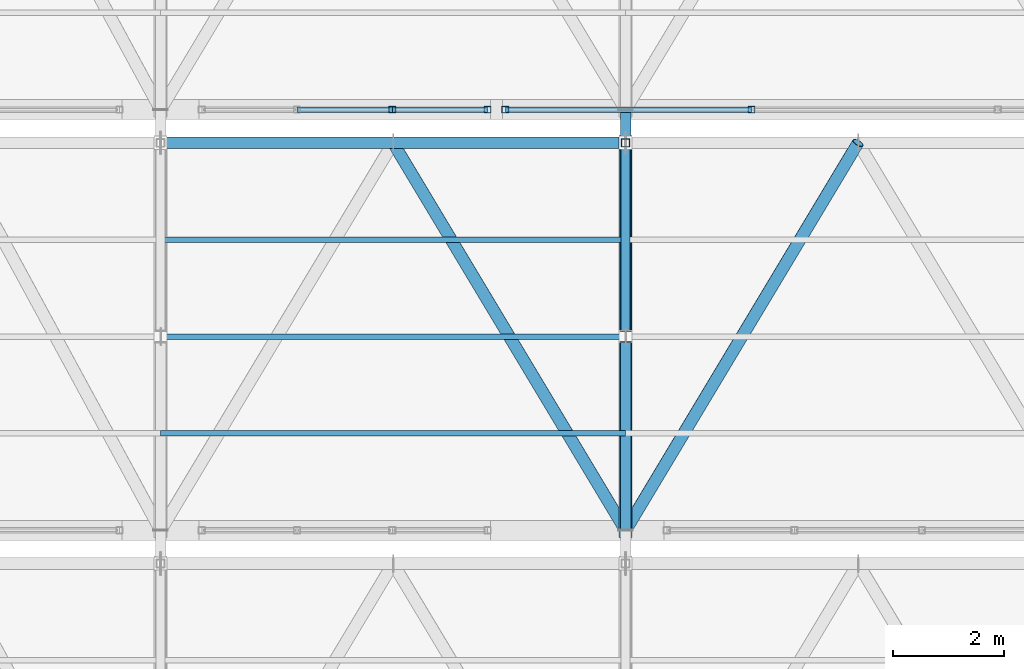
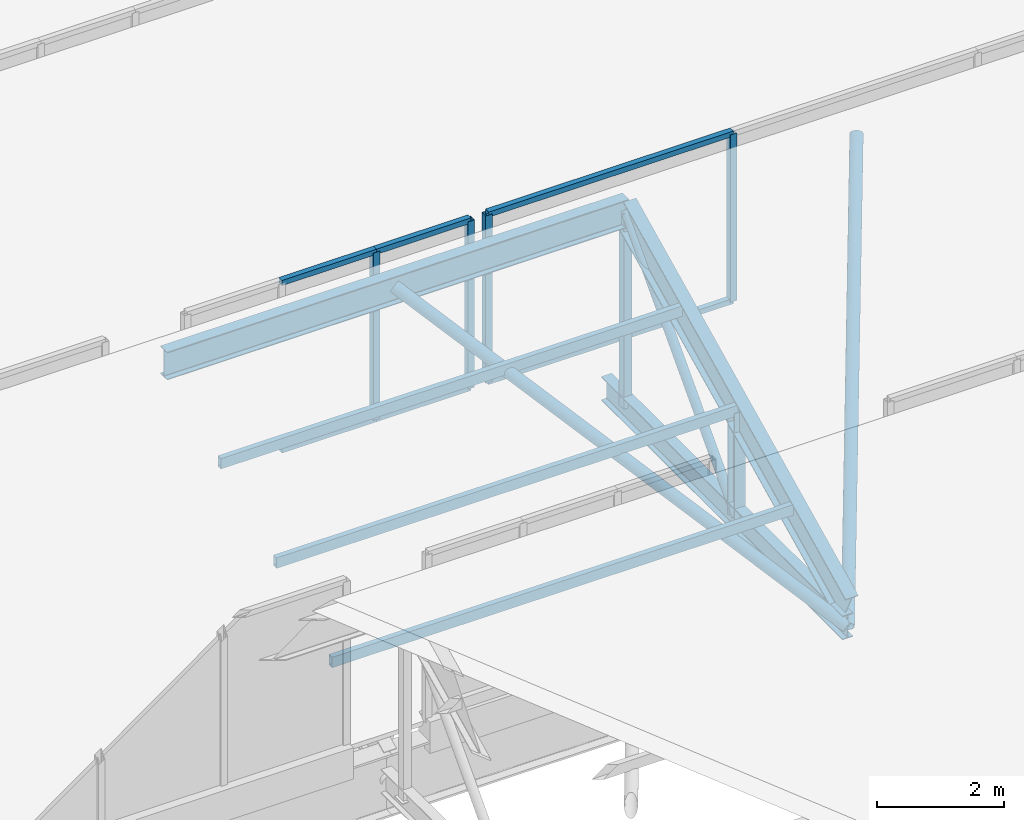
# One storey, part 9 of 57: 21 members, 2 elements without a shape of their own.
"""IFC4 building model written with IfcOpenShell, lengths in metres."""

import ifcopenshell
import ifcopenshell.guid

model = None  # the IFC model being written
_history = None  # IfcOwnerHistory: only IFC2X3 demands one
_inside = {}  # id of a spatial element -> (the spatial element, [elements in it])
_under = {}  # id of a project, library or spatial element -> (it, [spatial elements below it])
_declared = {}  # id of a project -> (the project, [libraries it declares])
_typed = {}  # id of a type object -> (the type object, [elements of that type])
_made_of = {}  # id of a material, layer set ... -> (it, [elements and type objects made of it])


def new_model(schema):
    """Start an empty IFC model of exactly this schema.

    Asked for "IFC4X3", IfcOpenShell would pick the latest addendum, in which some entities
    have other attributes; the version numbers below select the first issue.
    IFC2X3 requires an IfcOwnerHistory on every rooted entity: one is made here for all.
    """
    global model, _history
    if schema == "IFC4X3":
        model = ifcopenshell.file(schema_version=(4, 3, 0, 0))
    else:
        model = ifcopenshell.file(schema=schema)
    _inside.clear()
    _under.clear()
    _declared.clear()
    _typed.clear()
    _made_of.clear()
    _history = None
    if model.schema == "IFC2X3":
        org = make("IfcOrganization", Name="unknown")
        user = make(
            "IfcPersonAndOrganization",
            ThePerson=make("IfcPerson", FamilyName="unknown"),
            TheOrganization=org,
        )
        app = make(
            "IfcApplication",
            ApplicationDeveloper=org,
            Version="unknown",
            ApplicationFullName="unknown",
            ApplicationIdentifier="unknown",
        )
        _history = make(
            "IfcOwnerHistory",
            OwningUser=user,
            OwningApplication=app,
            ChangeAction="ADDED",
            CreationDate=0,
        )
    return model


def make(cls, **values):
    """One entity of the class cls with the attributes given. An attribute that is None is left unset."""
    return model.create_entity(
        cls, **{name: value for name, value in values.items() if value is not None}
    )


def rooted(cls, **values):
    """An entity with a GlobalId (a new one), such as an element, a storey or a relation."""
    return make(cls, GlobalId=ifcopenshell.guid.new(), OwnerHistory=_history, **values)


def si_unit(unit_type, name, prefix=None):
    """IfcSIUnit, for example si_unit("LENGTHUNIT", "METRE", prefix="MILLI")."""
    return make("IfcSIUnit", UnitType=unit_type, Prefix=prefix, Name=name)


def assignment(units):
    """IfcUnitAssignment: the units of a project."""
    return None if units is None else make("IfcUnitAssignment", Units=units)


def point(xyz):
    """IfcCartesianPoint."""
    return None if xyz is None else make("IfcCartesianPoint", Coordinates=xyz)


def direction(xyz):
    """IfcDirection."""
    return None if xyz is None else make("IfcDirection", DirectionRatios=xyz)


def frame(location, z_axis=None, x_axis=None):
    """IfcAxis2Placement3D, a coordinate frame: its origin and axes. An axis left out is left unset."""
    return make(
        "IfcAxis2Placement3D",
        Location=point(location),
        Axis=direction(z_axis),
        RefDirection=direction(x_axis),
    )


def frame_2d(location, x_axis=None):
    """IfcAxis2Placement2D, a coordinate frame in the plane: its origin and x axis."""
    return make(
        "IfcAxis2Placement2D", Location=point(location), RefDirection=direction(x_axis)
    )


def origin():
    """The frame at (0, 0, 0) with its axes left unset."""
    return frame((0.0, 0.0, 0.0))


def origin_2d():
    """The frame at (0, 0) in the plane with its x axis left unset."""
    return frame_2d((0.0, 0.0))


def place(relative_to, where):
    """IfcLocalPlacement: puts the frame where relative to a parent placement (None: the world)."""
    return make(
        "IfcLocalPlacement", PlacementRelTo=relative_to, RelativePlacement=where
    )


def context(
    kind, dimensions, precision=None, world=None, true_north=None, identifier=None
):
    """IfcGeometricRepresentationContext, for example the 3D "Model" context."""
    return make(
        "IfcGeometricRepresentationContext",
        ContextIdentifier=identifier,
        ContextType=kind,
        CoordinateSpaceDimension=dimensions,
        Precision=precision,
        WorldCoordinateSystem=world,
        TrueNorth=true_north,
    )


def subcontext(parent, identifier, kind, view, scale=None):
    """IfcGeometricRepresentationSubContext, for example "Body" below "Model"."""
    return make(
        "IfcGeometricRepresentationSubContext",
        ContextIdentifier=identifier,
        ContextType=kind,
        ParentContext=parent,
        TargetScale=scale,
        TargetView=view,
    )


def project(units=None, contexts=None):
    """IfcProject with its units and contexts."""
    return rooted(
        "IfcProject",
        Name="project",
        RepresentationContexts=contexts,
        UnitsInContext=assignment(units),
    )


def spatial(cls, under=None, at=None, **own):
    """A site, building, storey or space (cls), placed at a placement, below another one or the project."""
    s = rooted(cls, ObjectPlacement=at, **own)
    if under is not None:
        _under.setdefault(under.id(), (under, []))[1].append(s)
    return s


def profile(cls, at=None, kind="AREA", **sizes):
    """A parametric profile (cls). Its sizes go by their IFC names, for example OverallWidth=200.0."""
    return make(cls, ProfileType=kind, Position=at, **sizes)


def hollow_rectangle(**sizes):
    """IfcRectangleHollowProfileDef."""
    return profile("IfcRectangleHollowProfileDef", **sizes)


def hollow_circle(**sizes):
    """IfcCircleHollowProfileDef."""
    return profile("IfcCircleHollowProfileDef", **sizes)


def i_section(**sizes):
    """IfcIShapeProfileDef."""
    return profile("IfcIShapeProfileDef", **sizes)


def extrude(swept, where, along, depth):
    """IfcExtrudedAreaSolid: the profile swept, set in the frame where, extruded along a direction by depth."""
    return make(
        "IfcExtrudedAreaSolid",
        SweptArea=swept,
        Position=where,
        ExtrudedDirection=direction(along),
        Depth=depth,
    )


def shape(context_of_items, identifier, shape_type, items):
    """IfcShapeRepresentation: the items that make up one representation, for example the "Body"."""
    return make(
        "IfcShapeRepresentation",
        ContextOfItems=context_of_items,
        RepresentationIdentifier=identifier,
        RepresentationType=shape_type,
        Items=items,
    )


def material(Name=None, Category=None):
    """IfcMaterial."""
    return make("IfcMaterial", Name=Name, Category=Category)


def material_profile(
    of_material, cross_section, Name=None, Category=None, Priority=None
):
    """IfcMaterialProfile: a cross section and its material."""
    return make(
        "IfcMaterialProfile",
        Name=Name,
        Material=of_material,
        Profile=cross_section,
        Priority=Priority,
        Category=Category,
    )


def profile_set(profiles, Name=None, composite=None):
    """IfcMaterialProfileSet."""
    return make(
        "IfcMaterialProfileSet",
        Name=Name,
        MaterialProfiles=profiles,
        CompositeProfile=composite,
    )


def made_of(thing, what):
    """Note that an element or type object is made of a material, layer set ...; save() writes the relation."""
    if what is not None:
        _made_of.setdefault(what.id(), (what, []))[1].append(thing)
    return thing


def type_object(cls, material=None, **own):
    """A type object (cls), such as IfcWallType, which elements share."""
    return made_of(rooted(cls, **own), material)


def element(
    cls,
    number,
    at=None,
    inside=None,
    cuts=None,
    type_object=None,
    material=None,
    context=None,
    identifier="Body",
    shape_type=None,
    held_by="IfcProductDefinitionShape",
    body=None,
    shapes=None,
    **own,
):
    """One element of the class cls, such as IfcWall. Its Tag is "e" and its number.

    at: its placement. inside: the storey or other place that contains it. cuts: it is an
    opening in that element (IfcRelVoidsElement). A single representation is given by context,
    identifier, shape_type and body (its items); several are given by shapes. held_by: the class
    of the entity that holds the representations. save() writes the other relations.
    """
    e = rooted(cls, Tag="e%d" % number, ObjectPlacement=at, **own)
    if body is not None:
        shapes = [shape(context, identifier, shape_type, body)]
    if shapes is not None:
        e.Representation = make(held_by, Representations=shapes)
    if inside is not None:
        _inside.setdefault(inside.id(), (inside, []))[1].append(e)
    if cuts is not None:
        rooted(
            "IfcRelVoidsElement", RelatingBuildingElement=cuts, RelatedOpeningElement=e
        )
    if type_object is not None:
        _typed.setdefault(type_object.id(), (type_object, []))[1].append(e)
    return made_of(e, material)


def aggregate(whole, parts):
    """IfcRelAggregates: a whole, such as a stair, and the parts it consists of."""
    return rooted("IfcRelAggregates", RelatingObject=whole, RelatedObjects=parts)


def save(model, path):
    """Write the relations noted so far, then the file.

    IfcRelAggregates (storeys below a building ...), IfcRelContainedInSpatialStructure (elements
    in a storey), IfcRelDefinesByType, IfcRelAssociatesMaterial and IfcRelDeclares: one each for
    every whole, place, type object, material and project.
    """
    for whole, parts in _under.values():
        aggregate(whole, parts)
    for where, things in _inside.values():
        rooted(
            "IfcRelContainedInSpatialStructure",
            RelatedElements=things,
            RelatingStructure=where,
        )
    for kind, things in _typed.values():
        rooted("IfcRelDefinesByType", RelatedObjects=things, RelatingType=kind)
    for what, things in _made_of.values():
        rooted("IfcRelAssociatesMaterial", RelatedObjects=things, RelatingMaterial=what)
    for by, libraries in _declared.values():
        rooted("IfcRelDeclares", RelatingContext=by, RelatedDefinitions=libraries)
    model.write(path)


model = new_model("IFC4")

# Units and contexts
model_context = context("Model", 3, precision=1e-05, world=origin(), true_north=direction((0.0, 1.0)))
body_context = subcontext(model_context, "Body", "Model", "MODEL_VIEW")
ifc_project = project(units=[si_unit("LENGTHUNIT", "METRE"), si_unit("AREAUNIT", "SQUARE_METRE"), si_unit("VOLUMEUNIT", "CUBIC_METRE"), si_unit("PLANEANGLEUNIT", "RADIAN"), si_unit("MASSUNIT", "GRAM", prefix="KILO")], contexts=[model_context])

# Site, building, storey
site_placement = place(None, origin())
site = spatial("IfcSite", under=ifc_project, at=site_placement, CompositionType="ELEMENT")
building_placement = place(site_placement, origin())
building = spatial("IfcBuilding", under=site, at=building_placement, Name="Zuvorla Pavilion Media Centre", CompositionType="ELEMENT")
storey_placement = place(building_placement, frame((0.0, 0.0, 18.0)))
storey = spatial("IfcBuildingStorey", under=building, at=storey_placement, Name="L04", CompositionType="ELEMENT", Elevation=18.0)

# Curtain wall, members
ifc_material_1 = material(Name="Unitised anodised aluminium and solar glass curtain wall", Category="aluminium")
curtain_wall_type_1 = type_object("IfcCurtainWallType", Name="CW-SYS-91", PredefinedType="USERDEFINED", material=ifc_material_1)
curtain_wall_1_placement = place(storey_placement, origin())
curtain_wall_1 = element("IfcCurtainWall", 1, at=curtain_wall_1_placement, inside=storey, type_object=curtain_wall_type_1, Name="L04 curtain wall CW91 231", ObjectType="CURTAIN WALL", PredefinedType="USERDEFINED")
ifc_material_2 = material(Name="Anodised aluminium 6063-T6", Category="aluminium")
ifc_material_profile_1 = material_profile(ifc_material_2, hollow_rectangle(XDim=0.1201171875, YDim=0.1201171875, WallThickness=0.0048828125, at=origin_2d()), Name="ALU MULL 120x120")
ifc_profile_set_1 = profile_set([ifc_material_profile_1], Name="Anodised aluminium 6063-T6")
member_type_1 = type_object("IfcMemberType", Name="CW-MULL-120", PredefinedType="MULLION", material=ifc_profile_set_1)
member_1_placement = place(storey_placement, frame((129.785888671875, 21.199951171875, 0.0), z_axis=(0.0, 0.0, 1.0), x_axis=(1.0, 0.0, 0.0)))
member_1 = element("IfcMember", 2, at=member_1_placement, type_object=member_type_1, Name="CW91 mullion 3", PredefinedType="MULLION", context=body_context, shape_type="SweptSolid", body=[
    extrude(hollow_rectangle(XDim=0.1201171875, YDim=0.1201171875, WallThickness=0.0048828125, at=origin_2d()), origin(), (0.0, 0.0, 1.0), 3.219970703125),
])
member_2_placement = place(storey_placement, frame((131.506591796875, 21.199951171875, 0.0), z_axis=(0.0, 0.0, 1.0), x_axis=(1.0, 0.0, 0.0)))
member_2 = element("IfcMember", 3, at=member_2_placement, type_object=member_type_1, Name="CW91 mullion 4", PredefinedType="MULLION", context=body_context, shape_type="SweptSolid", body=[
    extrude(hollow_rectangle(XDim=0.1201171875, YDim=0.1201171875, WallThickness=0.0048828125, at=origin_2d()), origin(), (0.0, 0.0, 1.0), 3.219970703125),
])

curtain_wall_type_2 = type_object("IfcCurtainWallType", Name="CW-SYS-95", PredefinedType="USERDEFINED", material=ifc_material_1)
curtain_wall_2_placement = place(storey_placement, origin())
curtain_wall_2 = element("IfcCurtainWall", 4, at=curtain_wall_2_placement, inside=storey, type_object=curtain_wall_type_2, Name="L04 curtain wall CW95 232", ObjectType="CURTAIN WALL", PredefinedType="USERDEFINED")
member_3_placement = place(storey_placement, frame((131.82666015625, 21.199951171875, 0.0), z_axis=(0.0, 0.0, 1.0), x_axis=(1.0, 0.0, 0.0)))
member_3 = element("IfcMember", 5, at=member_3_placement, type_object=member_type_1, Name="CW95 mullion 1", PredefinedType="MULLION", context=body_context, shape_type="SweptSolid", body=[
    extrude(hollow_rectangle(XDim=0.1201171875, YDim=0.1201171875, WallThickness=0.0048828125, at=origin_2d()), origin(), (0.0, 0.0, 1.0), 3.219970703125),
])
member_4_placement = place(storey_placement, frame((136.275634765625, 21.199951171875, 0.0), z_axis=(0.0, 0.0, 1.0), x_axis=(1.0, 0.0, 0.0)))
member_4 = element("IfcMember", 6, at=member_4_placement, type_object=member_type_1, Name="CW95 mullion 2", PredefinedType="MULLION", context=body_context, shape_type="SweptSolid", body=[
    extrude(hollow_rectangle(XDim=0.1201171875, YDim=0.1201171875, WallThickness=0.0048828125, at=origin_2d()), origin(), (0.0, 0.0, 1.0), 3.219970703125),
])

# Member
ifc_material_profile_2 = material_profile(ifc_material_2, hollow_rectangle(XDim=0.10009765625, YDim=0.10009765625, WallThickness=0.00439453125, at=origin_2d()), Name="ALU TRAN 100x100")
ifc_profile_set_2 = profile_set([ifc_material_profile_2], Name="Anodised aluminium 6063-T6")
member_type_2 = type_object("IfcMemberType", Name="CW-TRAN-100", PredefinedType="USERDEFINED", material=ifc_profile_set_2)
member_5_placement = place(storey_placement, frame((128.065185546875, 21.199951171875, 0.0), z_axis=(1.0, 0.0, 0.0), x_axis=(0.0, 1.0, 0.0)))
member_5 = element("IfcMember", 7, at=member_5_placement, type_object=member_type_2, Name="CW91 transom 2.1", ObjectType="TRANSOM", PredefinedType="USERDEFINED", context=body_context, shape_type="SweptSolid", body=[
    extrude(hollow_rectangle(XDim=0.10009765625, YDim=0.10009765625, WallThickness=0.00439453125, at=origin_2d()), origin(), (0.0, 0.0, 1.0), 1.720703125),
])

member_6_placement = place(storey_placement, frame((128.065185546875, 21.199951171875, 3.219970703125), z_axis=(1.0, 0.0, 0.0), x_axis=(0.0, 1.0, 0.0)))
member_6 = element("IfcMember", 8, at=member_6_placement, type_object=member_type_2, Name="CW91 transom 2.2", ObjectType="TRANSOM", PredefinedType="USERDEFINED", context=body_context, shape_type="SweptSolid", body=[
    extrude(hollow_rectangle(XDim=0.10009765625, YDim=0.10009765625, WallThickness=0.00439453125, at=origin_2d()), origin(), (0.0, 0.0, 1.0), 1.720703125),
])

member_7_placement = place(storey_placement, frame((129.785888671875, 21.199951171875, 0.0), z_axis=(1.0, 0.0, 0.0), x_axis=(0.0, 1.0, 0.0)))
member_7 = element("IfcMember", 9, at=member_7_placement, type_object=member_type_2, Name="CW91 transom 3.1", ObjectType="TRANSOM", PredefinedType="USERDEFINED", context=body_context, shape_type="SweptSolid", body=[
    extrude(hollow_rectangle(XDim=0.10009765625, YDim=0.10009765625, WallThickness=0.00439453125, at=origin_2d()), origin(), (0.0, 0.0, 1.0), 1.720703125),
])

member_8_placement = place(storey_placement, frame((129.785888671875, 21.199951171875, 3.219970703125), z_axis=(1.0, 0.0, 0.0), x_axis=(0.0, 1.0, 0.0)))
member_8 = element("IfcMember", 10, at=member_8_placement, type_object=member_type_2, Name="CW91 transom 3.2", ObjectType="TRANSOM", PredefinedType="USERDEFINED", context=body_context, shape_type="SweptSolid", body=[
    extrude(hollow_rectangle(XDim=0.10009765625, YDim=0.10009765625, WallThickness=0.00439453125, at=origin_2d()), origin(), (0.0, 0.0, 1.0), 1.720703125),
])

aggregate(curtain_wall_1, [member_1, member_2, member_5, member_6, member_7, member_8])

member_9_placement = place(storey_placement, frame((131.82666015625, 21.199951171875, 0.0), z_axis=(1.0, 0.0, 0.0), x_axis=(0.0, 1.0, 0.0)))
member_9 = element("IfcMember", 11, at=member_9_placement, type_object=member_type_2, Name="CW95 transom 1.1", ObjectType="TRANSOM", PredefinedType="USERDEFINED", context=body_context, shape_type="SweptSolid", body=[
    extrude(hollow_rectangle(XDim=0.10009765625, YDim=0.10009765625, WallThickness=0.00439453125, at=origin_2d()), origin(), (0.0, 0.0, 1.0), 4.448974609375),
])

member_10_placement = place(storey_placement, frame((131.82666015625, 21.199951171875, 3.219970703125), z_axis=(1.0, 0.0, 0.0), x_axis=(0.0, 1.0, 0.0)))
member_10 = element("IfcMember", 12, at=member_10_placement, type_object=member_type_2, Name="CW95 transom 1.2", ObjectType="TRANSOM", PredefinedType="USERDEFINED", context=body_context, shape_type="SweptSolid", body=[
    extrude(hollow_rectangle(XDim=0.10009765625, YDim=0.10009765625, WallThickness=0.00439453125, at=origin_2d()), origin(), (0.0, 0.0, 1.0), 4.448974609375),
])

aggregate(curtain_wall_2, [member_3, member_4, member_9, member_10])

# Members
ifc_material_3 = material(Name="Steel S355", Category="steel")
ifc_material_profile_3 = material_profile(ifc_material_3, hollow_circle(Radius=0.084228515625, WallThickness=0.008056640625, at=origin_2d()), Name="CHS 168.3x8")
ifc_profile_set_3 = profile_set([ifc_material_profile_3], Name="Steel S355")
member_type_3 = type_object("IfcMemberType", Name="MEM-BRC-CHS168", PredefinedType="BRACE", material=ifc_profile_set_3)
member_11_placement = place(storey_placement, frame((134.0, 17.10009765625, -0.8798828125), z_axis=(0.0, 0.681156069412, 0.732138244529), x_axis=(-1.0, 0.0, 0.0)))
element("IfcMember", 13, at=member_11_placement, inside=storey, type_object=member_type_3, Name="L04 diagonal brace TB03 571", PredefinedType="BRACE", context=body_context, shape_type="SweptSolid", body=[
    extrude(hollow_circle(Radius=0.084228515625, WallThickness=0.008056640625, at=origin_2d()), origin(), (0.0, 0.0, 1.0), 5.138427734375),
])
ifc_material_profile_4 = material_profile(ifc_material_3, hollow_circle(Radius=0.109619140625, WallThickness=0.010009765625, at=origin_2d()), Name="CHS 219.1x10")
ifc_profile_set_4 = profile_set([ifc_material_profile_4], Name="Steel S355")
member_type_4 = type_object("IfcMemberType", Name="MEM-BRC-CHS219", PredefinedType="BRACE", material=ifc_profile_set_4)
for number, where, z_axis, x_axis, name in (
    (14, (129.800048828125, 20.60009765625, 2.882080078125), (0.46726169892, -0.778778552081, -0.418533716135), (0.857495564561, 0.514491357322, 0.0), "L04 diagonal brace TB02 596"),
    (15, (134.0, 13.60009765625, -0.8798828125), (0.46726169892, 0.778778552081, 0.418533716135), (-0.857495564561, 0.514491357322, 0.0), "L04 diagonal brace TB02 601"),
):
    element("IfcMember", number, at=place(storey_placement, frame(where, z_axis=z_axis, x_axis=x_axis)), inside=storey, type_object=member_type_4, Name=name, PredefinedType="BRACE", context=body_context, shape_type="SweptSolid", body=[
        extrude(hollow_circle(Radius=0.109619140625, WallThickness=0.010009765625, at=origin_2d()), origin(), (0.0, 0.0, 1.0), 8.988525390625),
    ])
ifc_material_profile_5 = material_profile(ifc_material_3, i_section(OverallWidth=0.19140625, OverallDepth=0.4599609375, WebThickness=0.010009765625, FlangeThickness=0.01611328125, FilletRadius=0.01025390625, at=origin_2d()), Name="UB 457x191x82")
ifc_profile_set_5 = profile_set([ifc_material_profile_5], Name="Steel S355")
member_type_5 = type_object("IfcMemberType", Name="MEM-CHD-UB457", PredefinedType="CHORD", material=ifc_profile_set_5)
member_12_placement = place(storey_placement, frame((134.0, 13.60009765625, -0.8798828125), z_axis=(0.0, 1.0, 0.0), x_axis=(-1.0, 0.0, 0.0)))
element("IfcMember", 16, at=member_12_placement, inside=storey, type_object=member_type_5, Name="L04 chord TC03 568", PredefinedType="CHORD", context=body_context, shape_type="SweptSolid", body=[
    extrude(i_section(OverallWidth=0.19140625, OverallDepth=0.4599609375, WebThickness=0.010009765625, FlangeThickness=0.01611328125, FilletRadius=0.01025390625, at=origin_2d()), origin(), (0.0, 0.0, 1.0), 7.599853515625),
])
ifc_material_profile_6 = material_profile(ifc_material_3, i_section(OverallWidth=0.2099609375, OverallDepth=0.53662109375, WebThickness=0.0107421875, FlangeThickness=0.017333984375, FilletRadius=0.0126953125, at=origin_2d()), Name="UB 533x210x101")
ifc_profile_set_6 = profile_set([ifc_material_profile_6], Name="Steel S355")
member_type_6 = type_object("IfcMemberType", Name="MEM-CHD-UB533", PredefinedType="CHORD", material=ifc_profile_set_6)
member_13_placement = place(storey_placement, frame((125.60009765625, 20.60009765625, 2.882080078125), z_axis=(1.0, 0.0, 0.0), x_axis=(0.0, 1.0, 0.0)))
element("IfcMember", 17, at=member_13_placement, inside=storey, type_object=member_type_6, Name="L04 chord TC02 594", PredefinedType="CHORD", context=body_context, shape_type="SweptSolid", body=[
    extrude(i_section(OverallWidth=0.2099609375, OverallDepth=0.53662109375, WebThickness=0.0107421875, FlangeThickness=0.017333984375, FilletRadius=0.0126953125, at=origin_2d()), origin(), (0.0, 0.0, 1.0), 8.39990234375),
])
ifc_material_profile_7 = material_profile(ifc_material_3, i_section(OverallWidth=0.22900390625, OverallDepth=0.6123046875, WebThickness=0.011962890625, FlangeThickness=0.01953125, FilletRadius=0.0126953125, at=origin_2d()), Name="UB 610x229x125")
ifc_profile_set_7 = profile_set([ifc_material_profile_7], Name="Steel S355")
member_type_7 = type_object("IfcMemberType", Name="MEM-CHD-UB610", PredefinedType="CHORD", material=ifc_profile_set_7)
member_14_placement = place(storey_placement, frame((134.0, 13.60009765625, -0.517822265625), z_axis=(0.0, 0.899513090263, 0.436893809117), x_axis=(-1.0, 0.0, 0.0)))
element("IfcMember", 18, at=member_14_placement, inside=storey, type_object=member_type_7, Name="L04 chord TC01 569", PredefinedType="CHORD", context=body_context, shape_type="SweptSolid", body=[
    extrude(i_section(OverallWidth=0.22900390625, OverallDepth=0.6123046875, WebThickness=0.011962890625, FlangeThickness=0.01953125, FilletRadius=0.0126953125, at=origin_2d()), origin(), (0.0, 0.0, 1.0), 7.781982421875),
])
ifc_material_profile_8 = material_profile(ifc_material_3, hollow_rectangle(XDim=0.10009765625, YDim=0.199951171875, WallThickness=0.008056640625, at=origin_2d()), Name="RHS 200x100x8")
ifc_profile_set_8 = profile_set([ifc_material_profile_8], Name="Steel S355")
member_type_8 = type_object("IfcMemberType", Name="MEM-PUR-RHS200", PredefinedType="PURLIN", material=ifc_profile_set_8)
for number, where, z_axis, x_axis, name in (
    (19, (125.60009765625, 15.35009765625, 0.33203125), (1.0, 0.0, 0.0), (0.0, 1.0, 0.0), "L04 purlin PR01 597"),
    (20, (125.60009765625, 17.10009765625, 1.18212890625), (1.0, 0.0, 0.0), (0.0, 1.0, 0.0), "L04 purlin PR01 598"),
    (21, (125.60009765625, 18.85009765625, 2.031982421875), (1.0, 0.0, 0.0), (0.0, 1.0, 0.0), "L04 purlin PR01 599"),
):
    element("IfcMember", number, at=place(storey_placement, frame(where, z_axis=z_axis, x_axis=x_axis)), inside=storey, type_object=member_type_8, Name=name, PredefinedType="PURLIN", context=body_context, shape_type="SweptSolid", body=[
        extrude(hollow_rectangle(XDim=0.10009765625, YDim=0.199951171875, WallThickness=0.008056640625, at=origin_2d()), origin(), (0.0, 0.0, 1.0), 8.39990234375),
    ])
ifc_material_profile_9 = material_profile(ifc_material_3, hollow_rectangle(XDim=0.14990234375, YDim=0.14990234375, WallThickness=0.008056640625, at=origin_2d()), Name="SHS 150x150x8")
ifc_profile_set_9 = profile_set([ifc_material_profile_9], Name="Steel S355")
member_type_9 = type_object("IfcMemberType", Name="MEM-STR-SHS150", PredefinedType="STRUT", material=ifc_profile_set_9)
member_15_placement = place(storey_placement, frame((134.0, 20.60009765625, -0.8798828125), z_axis=(0.0, 0.0, 1.0), x_axis=(1.0, 0.0, 0.0)))
element("IfcMember", 22, at=member_15_placement, inside=storey, type_object=member_type_9, Name="L04 vertical strut TS01 570", PredefinedType="STRUT", context=body_context, shape_type="SweptSolid", body=[
    extrude(hollow_rectangle(XDim=0.14990234375, YDim=0.14990234375, WallThickness=0.008056640625, at=origin_2d()), origin(), (0.0, 0.0, 1.0), 3.761962890625),
])
ifc_material_profile_10 = material_profile(ifc_material_3, i_section(OverallWidth=0.205810546875, OverallDepth=0.209716796875, WebThickness=0.009521484375, FlangeThickness=0.01416015625, FilletRadius=0.01025390625, at=origin_2d()), Name="UC 203x203x60")
ifc_profile_set_10 = profile_set([ifc_material_profile_10], Name="Steel S355")
member_type_10 = type_object("IfcMemberType", Name="MEM-STR-UC203", PredefinedType="STRUT", material=ifc_profile_set_10)
member_16_placement = place(storey_placement, frame((134.0, 17.10009765625, -0.8798828125), z_axis=(0.0, 0.0, 1.0), x_axis=(1.0, 0.0, 0.0)))
element("IfcMember", 23, at=member_16_placement, inside=storey, type_object=member_type_10, Name="L04 vertical strut TS02 572", PredefinedType="STRUT", context=body_context, shape_type="SweptSolid", body=[
    extrude(i_section(OverallWidth=0.205810546875, OverallDepth=0.209716796875, WebThickness=0.009521484375, FlangeThickness=0.01416015625, FilletRadius=0.01025390625, at=origin_2d()), origin(), (0.0, 0.0, 1.0), 2.06201171875),
])

save(model, "model.ifc")
